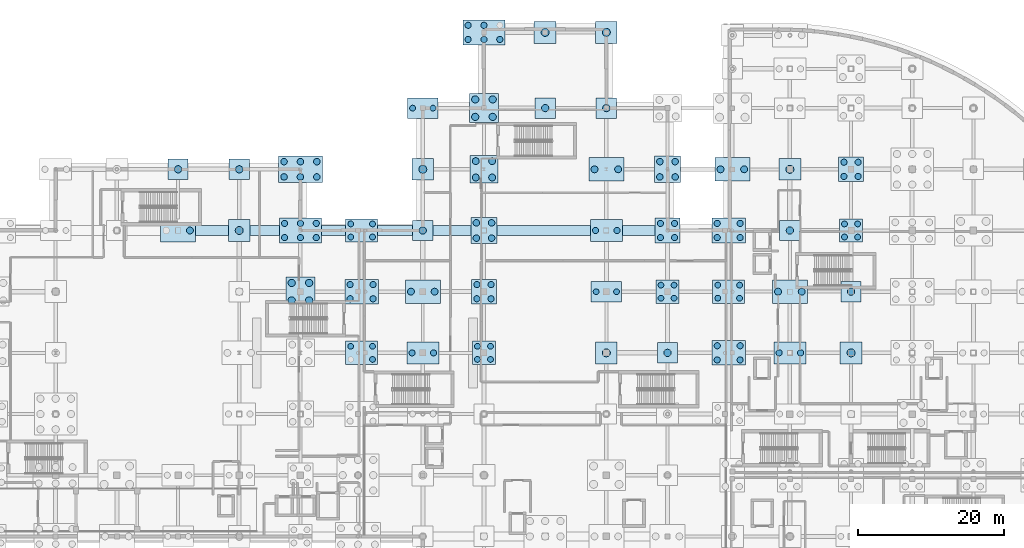
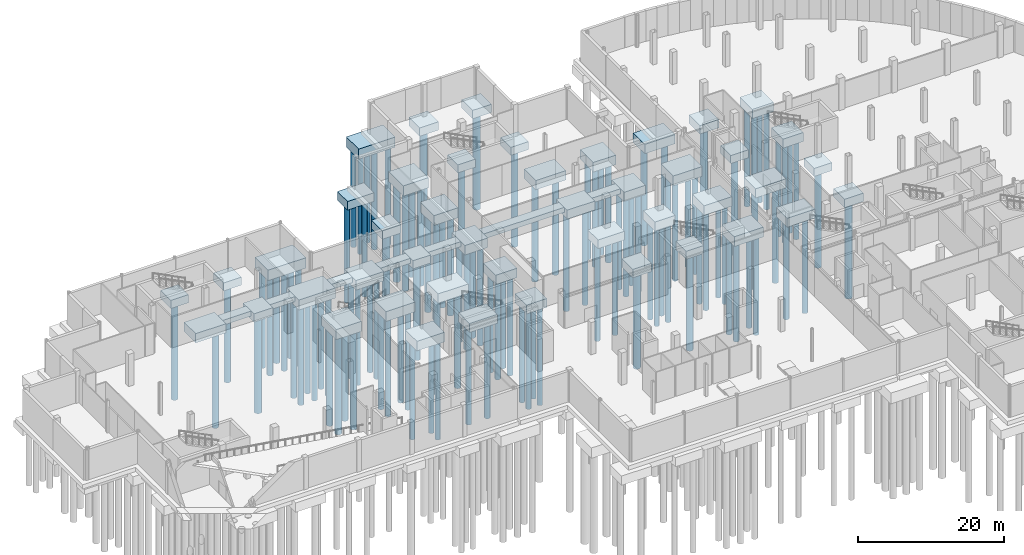
# One storey, part 3 of 49: 118 piles, 52 footings.
"""IFC4 building model written with IfcOpenShell, lengths in metres."""

import ifcopenshell
import ifcopenshell.guid

model = None  # the IFC model being written
_history = None  # IfcOwnerHistory: only IFC2X3 demands one
_inside = {}  # id of a spatial element -> (the spatial element, [elements in it])
_under = {}  # id of a project, library or spatial element -> (it, [spatial elements below it])
_declared = {}  # id of a project -> (the project, [libraries it declares])
_typed = {}  # id of a type object -> (the type object, [elements of that type])
_made_of = {}  # id of a material, layer set ... -> (it, [elements and type objects made of it])


def new_model(schema):
    """Start an empty IFC model of exactly this schema.

    Asked for "IFC4X3", IfcOpenShell would pick the latest addendum, in which some entities
    have other attributes; the version numbers below select the first issue.
    IFC2X3 requires an IfcOwnerHistory on every rooted entity: one is made here for all.
    """
    global model, _history
    if schema == "IFC4X3":
        model = ifcopenshell.file(schema_version=(4, 3, 0, 0))
    else:
        model = ifcopenshell.file(schema=schema)
    _inside.clear()
    _under.clear()
    _declared.clear()
    _typed.clear()
    _made_of.clear()
    _history = None
    if model.schema == "IFC2X3":
        org = make("IfcOrganization", Name="unknown")
        user = make(
            "IfcPersonAndOrganization",
            ThePerson=make("IfcPerson", FamilyName="unknown"),
            TheOrganization=org,
        )
        app = make(
            "IfcApplication",
            ApplicationDeveloper=org,
            Version="unknown",
            ApplicationFullName="unknown",
            ApplicationIdentifier="unknown",
        )
        _history = make(
            "IfcOwnerHistory",
            OwningUser=user,
            OwningApplication=app,
            ChangeAction="ADDED",
            CreationDate=0,
        )
    return model


def make(cls, **values):
    """One entity of the class cls with the attributes given. An attribute that is None is left unset."""
    return model.create_entity(
        cls, **{name: value for name, value in values.items() if value is not None}
    )


def rooted(cls, **values):
    """An entity with a GlobalId (a new one), such as an element, a storey or a relation."""
    return make(cls, GlobalId=ifcopenshell.guid.new(), OwnerHistory=_history, **values)


def si_unit(unit_type, name, prefix=None):
    """IfcSIUnit, for example si_unit("LENGTHUNIT", "METRE", prefix="MILLI")."""
    return make("IfcSIUnit", UnitType=unit_type, Prefix=prefix, Name=name)


def assignment(units):
    """IfcUnitAssignment: the units of a project."""
    return None if units is None else make("IfcUnitAssignment", Units=units)


def point(xyz):
    """IfcCartesianPoint."""
    return None if xyz is None else make("IfcCartesianPoint", Coordinates=xyz)


def direction(xyz):
    """IfcDirection."""
    return None if xyz is None else make("IfcDirection", DirectionRatios=xyz)


def frame(location, z_axis=None, x_axis=None):
    """IfcAxis2Placement3D, a coordinate frame: its origin and axes. An axis left out is left unset."""
    return make(
        "IfcAxis2Placement3D",
        Location=point(location),
        Axis=direction(z_axis),
        RefDirection=direction(x_axis),
    )


def frame_2d(location, x_axis=None):
    """IfcAxis2Placement2D, a coordinate frame in the plane: its origin and x axis."""
    return make(
        "IfcAxis2Placement2D", Location=point(location), RefDirection=direction(x_axis)
    )


def origin():
    """The frame at (0, 0, 0) with its axes left unset."""
    return frame((0.0, 0.0, 0.0))


def origin_2d():
    """The frame at (0, 0) in the plane with its x axis left unset."""
    return frame_2d((0.0, 0.0))


def place(relative_to, where):
    """IfcLocalPlacement: puts the frame where relative to a parent placement (None: the world)."""
    return make(
        "IfcLocalPlacement", PlacementRelTo=relative_to, RelativePlacement=where
    )


def context(
    kind, dimensions, precision=None, world=None, true_north=None, identifier=None
):
    """IfcGeometricRepresentationContext, for example the 3D "Model" context."""
    return make(
        "IfcGeometricRepresentationContext",
        ContextIdentifier=identifier,
        ContextType=kind,
        CoordinateSpaceDimension=dimensions,
        Precision=precision,
        WorldCoordinateSystem=world,
        TrueNorth=true_north,
    )


def subcontext(parent, identifier, kind, view, scale=None):
    """IfcGeometricRepresentationSubContext, for example "Body" below "Model"."""
    return make(
        "IfcGeometricRepresentationSubContext",
        ContextIdentifier=identifier,
        ContextType=kind,
        ParentContext=parent,
        TargetScale=scale,
        TargetView=view,
    )


def project(units=None, contexts=None):
    """IfcProject with its units and contexts."""
    return rooted(
        "IfcProject",
        Name="project",
        RepresentationContexts=contexts,
        UnitsInContext=assignment(units),
    )


def spatial(cls, under=None, at=None, **own):
    """A site, building, storey or space (cls), placed at a placement, below another one or the project."""
    s = rooted(cls, ObjectPlacement=at, **own)
    if under is not None:
        _under.setdefault(under.id(), (under, []))[1].append(s)
    return s


def profile(cls, at=None, kind="AREA", **sizes):
    """A parametric profile (cls). Its sizes go by their IFC names, for example OverallWidth=200.0."""
    return make(cls, ProfileType=kind, Position=at, **sizes)


def rectangle(**sizes):
    """IfcRectangleProfileDef."""
    return profile("IfcRectangleProfileDef", **sizes)


def circle(**sizes):
    """IfcCircleProfileDef."""
    return profile("IfcCircleProfileDef", **sizes)


def extrude(swept, where, along, depth):
    """IfcExtrudedAreaSolid: the profile swept, set in the frame where, extruded along a direction by depth."""
    return make(
        "IfcExtrudedAreaSolid",
        SweptArea=swept,
        Position=where,
        ExtrudedDirection=direction(along),
        Depth=depth,
    )


def shape(context_of_items, identifier, shape_type, items):
    """IfcShapeRepresentation: the items that make up one representation, for example the "Body"."""
    return make(
        "IfcShapeRepresentation",
        ContextOfItems=context_of_items,
        RepresentationIdentifier=identifier,
        RepresentationType=shape_type,
        Items=items,
    )


def material(Name=None, Category=None):
    """IfcMaterial."""
    return make("IfcMaterial", Name=Name, Category=Category)


def material_profile(
    of_material, cross_section, Name=None, Category=None, Priority=None
):
    """IfcMaterialProfile: a cross section and its material."""
    return make(
        "IfcMaterialProfile",
        Name=Name,
        Material=of_material,
        Profile=cross_section,
        Priority=Priority,
        Category=Category,
    )


def profile_set(profiles, Name=None, composite=None):
    """IfcMaterialProfileSet."""
    return make(
        "IfcMaterialProfileSet",
        Name=Name,
        MaterialProfiles=profiles,
        CompositeProfile=composite,
    )


def made_of(thing, what):
    """Note that an element or type object is made of a material, layer set ...; save() writes the relation."""
    if what is not None:
        _made_of.setdefault(what.id(), (what, []))[1].append(thing)
    return thing


def type_object(cls, material=None, **own):
    """A type object (cls), such as IfcWallType, which elements share."""
    return made_of(rooted(cls, **own), material)


def element(
    cls,
    number,
    at=None,
    inside=None,
    cuts=None,
    type_object=None,
    material=None,
    context=None,
    identifier="Body",
    shape_type=None,
    held_by="IfcProductDefinitionShape",
    body=None,
    shapes=None,
    **own,
):
    """One element of the class cls, such as IfcWall. Its Tag is "e" and its number.

    at: its placement. inside: the storey or other place that contains it. cuts: it is an
    opening in that element (IfcRelVoidsElement). A single representation is given by context,
    identifier, shape_type and body (its items); several are given by shapes. held_by: the class
    of the entity that holds the representations. save() writes the other relations.
    """
    e = rooted(cls, Tag="e%d" % number, ObjectPlacement=at, **own)
    if body is not None:
        shapes = [shape(context, identifier, shape_type, body)]
    if shapes is not None:
        e.Representation = make(held_by, Representations=shapes)
    if inside is not None:
        _inside.setdefault(inside.id(), (inside, []))[1].append(e)
    if cuts is not None:
        rooted(
            "IfcRelVoidsElement", RelatingBuildingElement=cuts, RelatedOpeningElement=e
        )
    if type_object is not None:
        _typed.setdefault(type_object.id(), (type_object, []))[1].append(e)
    return made_of(e, material)


def aggregate(whole, parts):
    """IfcRelAggregates: a whole, such as a stair, and the parts it consists of."""
    return rooted("IfcRelAggregates", RelatingObject=whole, RelatedObjects=parts)


def save(model, path):
    """Write the relations noted so far, then the file.

    IfcRelAggregates (storeys below a building ...), IfcRelContainedInSpatialStructure (elements
    in a storey), IfcRelDefinesByType, IfcRelAssociatesMaterial and IfcRelDeclares: one each for
    every whole, place, type object, material and project.
    """
    for whole, parts in _under.values():
        aggregate(whole, parts)
    for where, things in _inside.values():
        rooted(
            "IfcRelContainedInSpatialStructure",
            RelatedElements=things,
            RelatingStructure=where,
        )
    for kind, things in _typed.values():
        rooted("IfcRelDefinesByType", RelatedObjects=things, RelatingType=kind)
    for what, things in _made_of.values():
        rooted("IfcRelAssociatesMaterial", RelatedObjects=things, RelatingMaterial=what)
    for by, libraries in _declared.values():
        rooted("IfcRelDeclares", RelatingContext=by, RelatedDefinitions=libraries)
    model.write(path)


model = new_model("IFC4")

# Units and contexts
model_context = context("Model", 3, precision=1e-05, world=origin(), true_north=direction((0.0, 1.0)))
body_context = subcontext(model_context, "Body", "Model", "MODEL_VIEW")
ifc_project = project(units=[si_unit("LENGTHUNIT", "METRE"), si_unit("AREAUNIT", "SQUARE_METRE"), si_unit("VOLUMEUNIT", "CUBIC_METRE"), si_unit("PLANEANGLEUNIT", "RADIAN"), si_unit("MASSUNIT", "GRAM", prefix="KILO"), si_unit("THERMODYNAMICTEMPERATUREUNIT", "KELVIN")], contexts=[model_context])

# Site, building, storey
site_placement = place(None, origin())
site = spatial("IfcSite", under=ifc_project, at=site_placement, CompositionType="ELEMENT")
building_placement = place(site_placement, origin())
building = spatial("IfcBuilding", under=site, at=building_placement, Name="Lustrewick Department Store", CompositionType="ELEMENT")
storey_placement = place(building_placement, frame((0.0, 0.0, -5.39990234375)))
storey = spatial("IfcBuildingStorey", under=building, at=storey_placement, Name="B1", CompositionType="ELEMENT", Elevation=-5.39990234375)

# Piles
ifc_material = material(Name="Concrete C40", Category="concrete")
ifc_material_profile_1 = material_profile(ifc_material, circle(Radius=0.39990234375, at=origin_2d()), Name="PILE D800")
ifc_profile_set_1 = profile_set([ifc_material_profile_1], Name="Concrete C40")
pile_type_1 = type_object("IfcPileType", Name="P01", PredefinedType="BORED", material=ifc_profile_set_1)
for number, where, z_axis, x_axis, name in (
    (1, (57.300048828125, 68.10009765625, -2.2001953125), (0.0, 0.0, -1.0), (1.0, 0.0, 0.0), "Bored Pile P01 0131"),
    (2, (60.300048828125, 66.300048828125, -2.2001953125), (0.0, 0.0, -1.0), (1.0, 0.0, 0.0), "Bored Pile P01 0132"),
    (3, (60.300048828125, 68.10009765625, -2.2001953125), (0.0, 0.0, -1.0), (1.0, 0.0, 0.0), "Bored Pile P01 0133"),
    (4, (57.300048828125, 83.10009765625, -2.2001953125), (0.0, 0.0, -1.0), (1.0, 0.0, 0.0), "Bored Pile P01 0138"),
    (5, (57.300048828125, 84.89990234375, -2.2001953125), (0.0, 0.0, -1.0), (1.0, 0.0, 0.0), "Bored Pile P01 0139"),
    (6, (60.300048828125, 83.10009765625, -2.2001953125), (0.0, 0.0, -1.0), (1.0, 0.0, 0.0), "Bored Pile P01 0140"),
    (7, (60.300048828125, 84.89990234375, -2.2001953125), (0.0, 0.0, -1.0), (1.0, 0.0, 0.0), "Bored Pile P01 0141"),
    (8, (65.800048828125, 100.800048828125, -2.050048828125), (0.0, 0.0, -1.0), (1.0, 0.0, 0.0), "Bored Pile P01 0158"),
    (9, (68.60009765625, 100.800048828125, -2.050048828125), (0.0, 0.0, -1.0), (1.0, 0.0, 0.0), "Bored Pile P01 0159"),
    (10, (74.699951171875, 66.300048828125, -2.10009765625), (0.0, 0.0, -1.0), (1.0, 0.0, 0.0), "Bored Pile P01 0167"),
    (11, (74.699951171875, 68.10009765625, -2.10009765625), (0.0, 0.0, -1.0), (1.0, 0.0, 0.0), "Bored Pile P01 0168"),
    (12, (76.5, 66.300048828125, -2.10009765625), (0.0, 0.0, -1.0), (1.0, 0.0, 0.0), "Bored Pile P01 0169"),
    (13, (76.5, 68.10009765625, -2.10009765625), (0.0, 0.0, -1.0), (1.0, 0.0, 0.0), "Bored Pile P01 0170"),
    (14, (91.0, 75.60009765625, -2.050048828125), (0.0, 0.0, -1.0), (1.0, 0.0, 0.0), "Bored Pile P01 0228"),
    (15, (93.800048828125, 75.60009765625, -2.050048828125), (0.0, 0.0, -1.0), (1.0, 0.0, 0.0), "Bored Pile P01 0229"),
    (16, (99.89990234375, 74.699951171875, -2.10009765625), (0.0, 0.0, -1.0), (1.0, 0.0, 0.0), "Bored Pile P01 0245"),
    (17, (99.89990234375, 76.5, -2.10009765625), (0.0, 0.0, -1.0), (1.0, 0.0, 0.0), "Bored Pile P01 0246"),
    (18, (101.699951171875, 74.699951171875, -2.10009765625), (0.0, 0.0, -1.0), (1.0, 0.0, 0.0), "Bored Pile P01 0247"),
    (19, (101.699951171875, 76.5, -2.10009765625), (0.0, 0.0, -1.0), (1.0, 0.0, 0.0), "Bored Pile P01 0248"),
    (20, (107.699951171875, 74.699951171875, -2.2001953125), (0.0, 0.0, -1.0), (1.0, 0.0, 0.0), "Bored Pile P01 0269"),
    (21, (107.699951171875, 76.5, -2.2001953125), (0.0, 0.0, -1.0), (1.0, 0.0, 0.0), "Bored Pile P01 0270"),
    (22, (110.699951171875, 74.699951171875, -2.2001953125), (0.0, 0.0, -1.0), (1.0, 0.0, 0.0), "Bored Pile P01 0271"),
    (23, (110.699951171875, 76.5, -2.2001953125), (0.0, 0.0, -1.0), (1.0, 0.0, 0.0), "Bored Pile P01 0272"),
    (24, (125.10009765625, 83.10009765625, -2.10009765625), (0.0, 0.0, -1.0), (1.0, 0.0, 0.0), "Bored Pile P01 0401"),
    (25, (125.10009765625, 84.89990234375, -2.10009765625), (0.0, 0.0, -1.0), (1.0, 0.0, 0.0), "Bored Pile P01 0402"),
    (26, (126.89990234375, 83.10009765625, -2.10009765625), (0.0, 0.0, -1.0), (1.0, 0.0, 0.0), "Bored Pile P01 0403"),
    (27, (126.89990234375, 84.89990234375, -2.10009765625), (0.0, 0.0, -1.0), (1.0, 0.0, 0.0), "Bored Pile P01 0404"),
):
    element("IfcPile", number, at=place(storey_placement, frame(where, z_axis=z_axis, x_axis=x_axis)), inside=storey, type_object=pile_type_1, Name=name, PredefinedType="BORED", context=body_context, shape_type="SweptSolid", body=[
        extrude(circle(Radius=0.39990234375, at=origin_2d()), origin(), (0.0, 0.0, 1.0), 16.5),
    ])
ifc_material_profile_2 = material_profile(ifc_material, circle(Radius=0.425048828125, at=origin_2d()), Name="PILE D850")
ifc_profile_set_2 = profile_set([ifc_material_profile_2], Name="Concrete C40")
pile_type_2 = type_object("IfcPileType", Name="P02", PredefinedType="BORED", material=ifc_profile_set_2)
for number, where, z_axis, x_axis, name in (
    (28, (48.22509765625, 83.02490234375, -2.300048828125), (0.0, 0.0, -1.0), (1.0, 0.0, 0.0), "Bored Pile P02 0099"),
    (29, (48.22509765625, 84.97509765625, -2.300048828125), (0.0, 0.0, -1.0), (1.0, 0.0, 0.0), "Bored Pile P02 0100"),
    (30, (50.39990234375, 83.02490234375, -2.300048828125), (0.0, 0.0, -1.0), (1.0, 0.0, 0.0), "Bored Pile P02 0101"),
    (31, (50.39990234375, 84.97509765625, -2.300048828125), (0.0, 0.0, -1.0), (1.0, 0.0, 0.0), "Bored Pile P02 0102"),
    (32, (52.574951171875, 83.02490234375, -2.300048828125), (0.0, 0.0, -1.0), (1.0, 0.0, 0.0), "Bored Pile P02 0103"),
    (33, (52.574951171875, 84.97509765625, -2.300048828125), (0.0, 0.0, -1.0), (1.0, 0.0, 0.0), "Bored Pile P02 0104"),
    (34, (57.22509765625, 74.625, -2.25), (0.0, 0.0, -1.0), (1.0, 0.0, 0.0), "Bored Pile P02 0134"),
    (35, (57.22509765625, 76.574951171875, -2.25), (0.0, 0.0, -1.0), (1.0, 0.0, 0.0), "Bored Pile P02 0135"),
    (36, (60.375, 74.625, -2.25), (0.0, 0.0, -1.0), (1.0, 0.0, 0.0), "Bored Pile P02 0136"),
    (37, (60.375, 76.574951171875, -2.25), (0.0, 0.0, -1.0), (1.0, 0.0, 0.0), "Bored Pile P02 0137"),
    (38, (65.72509765625, 67.199951171875, -2.10009765625), (0.0, 0.0, -1.0), (1.0, 0.0, 0.0), "Bored Pile P02 0152"),
    (39, (68.675048828125, 67.199951171875, -2.10009765625), (0.0, 0.0, -1.0), (1.0, 0.0, 0.0), "Bored Pile P02 0153"),
    (40, (74.625, 74.625, -2.150146484375), (0.0, 0.0, -1.0), (1.0, 0.0, 0.0), "Bored Pile P02 0171"),
    (41, (74.625, 76.574951171875, -2.150146484375), (0.0, 0.0, -1.0), (1.0, 0.0, 0.0), "Bored Pile P02 0172"),
    (42, (76.574951171875, 74.625, -2.150146484375), (0.0, 0.0, -1.0), (1.0, 0.0, 0.0), "Bored Pile P02 0173"),
    (43, (76.574951171875, 76.574951171875, -2.150146484375), (0.0, 0.0, -1.0), (1.0, 0.0, 0.0), "Bored Pile P02 0174"),
    (44, (73.425048828125, 110.22509765625, -2.300048828125), (0.0, 0.0, -1.0), (1.0, 0.0, 0.0), "Bored Pile P02 0187"),
    (45, (73.425048828125, 112.175048828125, -2.300048828125), (0.0, 0.0, -1.0), (1.0, 0.0, 0.0), "Bored Pile P02 0188"),
    (46, (75.60009765625, 110.22509765625, -2.300048828125), (0.0, 0.0, -1.0), (1.0, 0.0, 0.0), "Bored Pile P02 0189"),
    (47, (75.60009765625, 112.175048828125, -2.300048828125), (0.0, 0.0, -1.0), (1.0, 0.0, 0.0), "Bored Pile P02 0190"),
    (48, (77.77490234375, 110.22509765625, -2.300048828125), (0.0, 0.0, -1.0), (1.0, 0.0, 0.0), "Bored Pile P02 0191"),
    (49, (90.925048828125, 84.0, -2.10009765625), (0.0, 0.0, -1.0), (1.0, 0.0, 0.0), "Bored Pile P02 0230"),
    (50, (93.875, 84.0, -2.10009765625), (0.0, 0.0, -1.0), (1.0, 0.0, 0.0), "Bored Pile P02 0231"),
    (51, (99.824951171875, 83.02490234375, -2.150146484375), (0.0, 0.0, -1.0), (1.0, 0.0, 0.0), "Bored Pile P02 0249"),
    (52, (99.824951171875, 84.97509765625, -2.150146484375), (0.0, 0.0, -1.0), (1.0, 0.0, 0.0), "Bored Pile P02 0250"),
    (53, (101.77490234375, 83.02490234375, -2.150146484375), (0.0, 0.0, -1.0), (1.0, 0.0, 0.0), "Bored Pile P02 0251"),
    (54, (101.77490234375, 84.97509765625, -2.150146484375), (0.0, 0.0, -1.0), (1.0, 0.0, 0.0), "Bored Pile P02 0252"),
    (55, (107.625, 66.22509765625, -2.25), (0.0, 0.0, -1.0), (1.0, 0.0, 0.0), "Bored Pile P02 0265"),
    (56, (107.625, 68.175048828125, -2.25), (0.0, 0.0, -1.0), (1.0, 0.0, 0.0), "Bored Pile P02 0266"),
    (57, (110.77490234375, 66.22509765625, -2.25), (0.0, 0.0, -1.0), (1.0, 0.0, 0.0), "Bored Pile P02 0267"),
    (58, (110.77490234375, 68.175048828125, -2.25), (0.0, 0.0, -1.0), (1.0, 0.0, 0.0), "Bored Pile P02 0268"),
    (59, (107.625, 83.02490234375, -2.25), (0.0, 0.0, -1.0), (1.0, 0.0, 0.0), "Bored Pile P02 0273"),
    (60, (107.625, 84.97509765625, -2.25), (0.0, 0.0, -1.0), (1.0, 0.0, 0.0), "Bored Pile P02 0274"),
    (61, (110.77490234375, 83.02490234375, -2.25), (0.0, 0.0, -1.0), (1.0, 0.0, 0.0), "Bored Pile P02 0275"),
    (62, (110.77490234375, 84.97509765625, -2.25), (0.0, 0.0, -1.0), (1.0, 0.0, 0.0), "Bored Pile P02 0276"),
    (63, (116.125, 67.199951171875, -2.10009765625), (0.0, 0.0, -1.0), (1.0, 0.0, 0.0), "Bored Pile P02 0386"),
    (64, (119.074951171875, 67.199951171875, -2.10009765625), (0.0, 0.0, -1.0), (1.0, 0.0, 0.0), "Bored Pile P02 0387"),
    (65, (125.02490234375, 91.425048828125, -2.150146484375), (0.0, 0.0, -1.0), (1.0, 0.0, 0.0), "Bored Pile P02 0405"),
    (66, (125.02490234375, 93.375, -2.150146484375), (0.0, 0.0, -1.0), (1.0, 0.0, 0.0), "Bored Pile P02 0406"),
    (67, (126.97509765625, 91.425048828125, -2.150146484375), (0.0, 0.0, -1.0), (1.0, 0.0, 0.0), "Bored Pile P02 0407"),
    (68, (126.97509765625, 93.375, -2.150146484375), (0.0, 0.0, -1.0), (1.0, 0.0, 0.0), "Bored Pile P02 0408"),
):
    element("IfcPile", number, at=place(storey_placement, frame(where, z_axis=z_axis, x_axis=x_axis)), inside=storey, type_object=pile_type_2, Name=name, PredefinedType="BORED", context=body_context, shape_type="SweptSolid", body=[
        extrude(circle(Radius=0.425048828125, at=origin_2d()), origin(), (0.0, 0.0, 1.0), 16.5),
    ])
ifc_material_profile_3 = material_profile(ifc_material, circle(Radius=0.449951171875, at=origin_2d()), Name="PILE D900")
ifc_profile_set_3 = profile_set([ifc_material_profile_3], Name="Concrete C40")
pile_type_3 = type_object("IfcPileType", Name="P03", PredefinedType="BORED", material=ifc_profile_set_3)
for number, where, z_axis, x_axis, name in (
    (69, (48.14990234375, 91.35009765625, -2.35009765625), (0.0, 0.0, -1.0), (1.0, 0.0, 0.0), "Bored Pile P03 0105"),
    (70, (48.14990234375, 93.449951171875, -2.35009765625), (0.0, 0.0, -1.0), (1.0, 0.0, 0.0), "Bored Pile P03 0106"),
    (71, (50.39990234375, 91.35009765625, -2.35009765625), (0.0, 0.0, -1.0), (1.0, 0.0, 0.0), "Bored Pile P03 0107"),
    (72, (50.39990234375, 93.449951171875, -2.35009765625), (0.0, 0.0, -1.0), (1.0, 0.0, 0.0), "Bored Pile P03 0108"),
    (73, (52.64990234375, 91.35009765625, -2.35009765625), (0.0, 0.0, -1.0), (1.0, 0.0, 0.0), "Bored Pile P03 0109"),
    (74, (52.64990234375, 93.449951171875, -2.35009765625), (0.0, 0.0, -1.0), (1.0, 0.0, 0.0), "Bored Pile P03 0110"),
    (75, (74.550048828125, 82.949951171875, -2.2001953125), (0.0, 0.0, -1.0), (1.0, 0.0, 0.0), "Bored Pile P03 0175"),
    (76, (74.550048828125, 85.050048828125, -2.2001953125), (0.0, 0.0, -1.0), (1.0, 0.0, 0.0), "Bored Pile P03 0176"),
    (77, (76.64990234375, 82.949951171875, -2.2001953125), (0.0, 0.0, -1.0), (1.0, 0.0, 0.0), "Bored Pile P03 0177"),
    (78, (76.64990234375, 85.050048828125, -2.2001953125), (0.0, 0.0, -1.0), (1.0, 0.0, 0.0), "Bored Pile P03 0178"),
    (79, (99.75, 91.35009765625, -2.2001953125), (0.0, 0.0, -1.0), (1.0, 0.0, 0.0), "Bored Pile P03 0253"),
    (80, (99.75, 93.449951171875, -2.2001953125), (0.0, 0.0, -1.0), (1.0, 0.0, 0.0), "Bored Pile P03 0254"),
    (81, (101.85009765625, 91.35009765625, -2.2001953125), (0.0, 0.0, -1.0), (1.0, 0.0, 0.0), "Bored Pile P03 0255"),
    (82, (101.85009765625, 93.449951171875, -2.2001953125), (0.0, 0.0, -1.0), (1.0, 0.0, 0.0), "Bored Pile P03 0256"),
):
    element("IfcPile", number, at=place(storey_placement, frame(where, z_axis=z_axis, x_axis=x_axis)), inside=storey, type_object=pile_type_3, Name=name, PredefinedType="BORED", context=body_context, shape_type="SweptSolid", body=[
        extrude(circle(Radius=0.449951171875, at=origin_2d()), origin(), (0.0, 0.0, 1.0), 16.5),
    ])
ifc_material_profile_4 = material_profile(ifc_material, circle(Radius=0.47509765625, at=origin_2d()), Name="PILE D950")
ifc_profile_set_4 = profile_set([ifc_material_profile_4], Name="Concrete C40")
pile_type_4 = type_object("IfcPileType", Name="P04", PredefinedType="BORED", material=ifc_profile_set_4)
for number, where, z_axis, x_axis, name in (
    (83, (35.22509765625, 84.0, -2.150146484375), (0.0, 0.0, -1.0), (1.0, 0.0, 0.0), "Bored Pile P04 0067"),
    (84, (65.574951171875, 75.60009765625, -2.150146484375), (0.0, 0.0, -1.0), (1.0, 0.0, 0.0), "Bored Pile P04 0154"),
    (85, (68.824951171875, 75.60009765625, -2.150146484375), (0.0, 0.0, -1.0), (1.0, 0.0, 0.0), "Bored Pile P04 0155"),
    (86, (74.47509765625, 91.27490234375, -2.25), (0.0, 0.0, -1.0), (1.0, 0.0, 0.0), "Bored Pile P04 0179"),
    (87, (74.47509765625, 93.52490234375, -2.25), (0.0, 0.0, -1.0), (1.0, 0.0, 0.0), "Bored Pile P04 0180"),
    (88, (76.72509765625, 91.27490234375, -2.25), (0.0, 0.0, -1.0), (1.0, 0.0, 0.0), "Bored Pile P04 0181"),
    (89, (76.72509765625, 93.52490234375, -2.25), (0.0, 0.0, -1.0), (1.0, 0.0, 0.0), "Bored Pile P04 0182"),
    (90, (90.77490234375, 92.39990234375, -2.150146484375), (0.0, 0.0, -1.0), (1.0, 0.0, 0.0), "Bored Pile P04 0232"),
    (91, (94.02490234375, 92.39990234375, -2.150146484375), (0.0, 0.0, -1.0), (1.0, 0.0, 0.0), "Bored Pile P04 0233"),
    (92, (108.074951171875, 92.39990234375, -2.150146484375), (0.0, 0.0, -1.0), (1.0, 0.0, 0.0), "Bored Pile P04 0376"),
    (93, (111.324951171875, 92.39990234375, -2.150146484375), (0.0, 0.0, -1.0), (1.0, 0.0, 0.0), "Bored Pile P04 0377"),
    (94, (115.97509765625, 75.60009765625, -2.150146484375), (0.0, 0.0, -1.0), (1.0, 0.0, 0.0), "Bored Pile P04 0388"),
    (95, (119.22509765625, 75.60009765625, -2.150146484375), (0.0, 0.0, -1.0), (1.0, 0.0, 0.0), "Bored Pile P04 0389"),
):
    element("IfcPile", number, at=place(storey_placement, frame(where, z_axis=z_axis, x_axis=x_axis)), inside=storey, type_object=pile_type_4, Name=name, PredefinedType="BORED", context=body_context, shape_type="SweptSolid", body=[
        extrude(circle(Radius=0.47509765625, at=origin_2d()), origin(), (0.0, 0.0, 1.0), 16.5),
    ])
ifc_material_profile_5 = material_profile(ifc_material, circle(Radius=0.5, at=origin_2d()), Name="PILE D1000")
ifc_profile_set_5 = profile_set([ifc_material_profile_5], Name="Concrete C40")
pile_type_5 = type_object("IfcPileType", Name="P05", PredefinedType="BORED", material=ifc_profile_set_5)
for number, where, z_axis, x_axis, name in (
    (96, (33.60009765625, 92.39990234375, -1.9501953125), (0.0, 0.0, -1.0), (1.0, 0.0, 0.0), "Bored Pile P05 0068"),
    (97, (42.0, 92.39990234375, -1.9501953125), (0.0, 0.0, -1.0), (1.0, 0.0, 0.0), "Bored Pile P05 0078"),
    (98, (49.199951171875, 74.39990234375, -2.300048828125), (0.0, 0.0, -1.0), (1.0, 0.0, 0.0), "Bored Pile P05 0095"),
    (99, (49.199951171875, 76.800048828125, -2.300048828125), (0.0, 0.0, -1.0), (1.0, 0.0, 0.0), "Bored Pile P05 0096"),
    (100, (51.60009765625, 74.39990234375, -2.300048828125), (0.0, 0.0, -1.0), (1.0, 0.0, 0.0), "Bored Pile P05 0097"),
    (101, (51.60009765625, 76.800048828125, -2.300048828125), (0.0, 0.0, -1.0), (1.0, 0.0, 0.0), "Bored Pile P05 0098"),
    (102, (67.199951171875, 84.0, -1.9501953125), (0.0, 0.0, -1.0), (1.0, 0.0, 0.0), "Bored Pile P05 0156"),
    (103, (74.39990234375, 99.60009765625, -2.300048828125), (0.0, 0.0, -1.0), (1.0, 0.0, 0.0), "Bored Pile P05 0183"),
    (104, (74.39990234375, 102.0, -2.300048828125), (0.0, 0.0, -1.0), (1.0, 0.0, 0.0), "Bored Pile P05 0184"),
    (105, (76.800048828125, 99.60009765625, -2.300048828125), (0.0, 0.0, -1.0), (1.0, 0.0, 0.0), "Bored Pile P05 0185"),
    (106, (76.800048828125, 102.0, -2.300048828125), (0.0, 0.0, -1.0), (1.0, 0.0, 0.0), "Bored Pile P05 0186"),
    (107, (84.0, 100.800048828125, -1.9501953125), (0.0, 0.0, -1.0), (1.0, 0.0, 0.0), "Bored Pile P05 0214"),
    (108, (92.39990234375, 100.800048828125, -1.9501953125), (0.0, 0.0, -1.0), (1.0, 0.0, 0.0), "Bored Pile P05 0234"),
    (109, (100.800048828125, 67.199951171875, -1.9501953125), (0.0, 0.0, -1.0), (1.0, 0.0, 0.0), "Bored Pile P05 0244"),
    (110, (117.60009765625, 84.0, -1.9501953125), (0.0, 0.0, -1.0), (1.0, 0.0, 0.0), "Bored Pile P05 0390"),
    (111, (126.0, 75.60009765625, -1.9501953125), (0.0, 0.0, -1.0), (1.0, 0.0, 0.0), "Bored Pile P05 0400"),
):
    element("IfcPile", number, at=place(storey_placement, frame(where, z_axis=z_axis, x_axis=x_axis)), inside=storey, type_object=pile_type_5, Name=name, PredefinedType="BORED", context=body_context, shape_type="SweptSolid", body=[
        extrude(circle(Radius=0.5, at=origin_2d()), origin(), (0.0, 0.0, 1.0), 16.5),
    ])
ifc_material_profile_6 = material_profile(ifc_material, circle(Radius=0.550048828125, at=origin_2d()), Name="PILE D1100")
ifc_profile_set_6 = profile_set([ifc_material_profile_6], Name="Concrete C40")
pile_type_6 = type_object("IfcPileType", Name="P06", PredefinedType="BORED", material=ifc_profile_set_6)
for number, where, z_axis, x_axis, name in (
    (112, (42.0, 84.0, -2.0), (0.0, 0.0, -1.0), (1.0, 0.0, 0.0), "Bored Pile P06 0077"),
    (113, (67.199951171875, 92.39990234375, -2.0), (0.0, 0.0, -1.0), (1.0, 0.0, 0.0), "Bored Pile P06 0157"),
    (114, (84.0, 111.199951171875, -2.0), (0.0, 0.0, -1.0), (1.0, 0.0, 0.0), "Bored Pile P06 0215"),
    (115, (92.39990234375, 67.199951171875, -2.0), (0.0, 0.0, -1.0), (1.0, 0.0, 0.0), "Bored Pile P06 0227"),
    (116, (92.39990234375, 111.199951171875, -2.0), (0.0, 0.0, -1.0), (1.0, 0.0, 0.0), "Bored Pile P06 0235"),
    (117, (117.60009765625, 92.39990234375, -2.0), (0.0, 0.0, -1.0), (1.0, 0.0, 0.0), "Bored Pile P06 0391"),
    (118, (126.0, 67.199951171875, -2.0), (0.0, 0.0, -1.0), (1.0, 0.0, 0.0), "Bored Pile P06 0399"),
):
    element("IfcPile", number, at=place(storey_placement, frame(where, z_axis=z_axis, x_axis=x_axis)), inside=storey, type_object=pile_type_6, Name=name, PredefinedType="BORED", context=body_context, shape_type="SweptSolid", body=[
        extrude(circle(Radius=0.550048828125, at=origin_2d()), origin(), (0.0, 0.0, 1.0), 16.5),
    ])

# Footings
footing_type_1 = type_object("IfcFootingType", Name="PC01", PredefinedType="PILE_CAP", material=ifc_material)
for number, where, z_axis, x_axis, name in (
    (119, (75.60009765625, 67.199951171875, -2.2001953125), (0.0, 0.0, 1.0), (1.0, 0.0, 0.0), "Pile Cap PC01 057"),
    (120, (100.800048828125, 75.60009765625, -2.2001953125), (0.0, 0.0, 1.0), (1.0, 0.0, 0.0), "Pile Cap PC01 085"),
    (121, (126.0, 84.0, -2.2001953125), (0.0, 0.0, 1.0), (1.0, 0.0, 0.0), "Pile Cap PC01 141"),
):
    element("IfcFooting", number, at=place(storey_placement, frame(where, z_axis=z_axis, x_axis=x_axis)), inside=storey, type_object=footing_type_1, Name=name, PredefinedType="PILE_CAP", context=body_context, shape_type="SweptSolid", body=[
        extrude(rectangle(XDim=3.199951171875, YDim=3.199951171875, at=origin_2d()), origin(), (0.0, 0.0, 1.0), 1.5),
    ])
footing_type_2 = type_object("IfcFootingType", Name="PC02", PredefinedType="PILE_CAP", material=ifc_material)
for number, where, z_axis, x_axis, name in (
    (122, (75.60009765625, 75.60009765625, -2.25), (0.0, 0.0, 1.0), (1.0, 0.0, 0.0), "Pile Cap PC02 058"),
    (123, (100.800048828125, 84.0, -2.25), (0.0, 0.0, 1.0), (1.0, 0.0, 0.0), "Pile Cap PC02 086"),
    (124, (126.0, 92.39990234375, -2.25), (0.0, 0.0, 1.0), (1.0, 0.0, 0.0), "Pile Cap PC02 142"),
):
    element("IfcFooting", number, at=place(storey_placement, frame(where, z_axis=z_axis, x_axis=x_axis)), inside=storey, type_object=footing_type_2, Name=name, PredefinedType="PILE_CAP", context=body_context, shape_type="SweptSolid", body=[
        extrude(rectangle(XDim=3.39990234375, YDim=3.39990234375, at=origin_2d()), origin(), (0.0, 0.0, 1.0), 1.550048828125),
    ])
footing_type_3 = type_object("IfcFootingType", Name="PC03", PredefinedType="PILE_CAP", material=ifc_material)
for number, where, z_axis, x_axis, name in (
    (125, (75.60009765625, 84.0, -2.300048828125), (0.0, 0.0, 1.0), (1.0, 0.0, 0.0), "Pile Cap PC03 059"),
    (126, (100.800048828125, 92.39990234375, -2.300048828125), (0.0, 0.0, 1.0), (1.0, 0.0, 0.0), "Pile Cap PC03 087"),
):
    element("IfcFooting", number, at=place(storey_placement, frame(where, z_axis=z_axis, x_axis=x_axis)), inside=storey, type_object=footing_type_3, Name=name, PredefinedType="PILE_CAP", context=body_context, shape_type="SweptSolid", body=[
        extrude(rectangle(XDim=3.60009765625, YDim=3.60009765625, at=origin_2d()), origin(), (0.0, 0.0, 1.0), 1.60009765625),
    ])
footing_type_4 = type_object("IfcFootingType", Name="PC04", PredefinedType="PILE_CAP", material=ifc_material)
footing_1_placement = place(storey_placement, frame((75.60009765625, 92.39990234375, -2.35009765625), z_axis=(0.0, 0.0, 1.0), x_axis=(1.0, 0.0, 0.0)))
element("IfcFooting", 127, at=footing_1_placement, inside=storey, type_object=footing_type_4, Name="Pile Cap PC04 060", PredefinedType="PILE_CAP", context=body_context, shape_type="SweptSolid", body=[
    extrude(rectangle(XDim=3.800048828125, YDim=3.800048828125, at=origin_2d()), origin(), (0.0, 0.0, 1.0), 1.64990234375),
])
footing_type_5 = type_object("IfcFootingType", Name="PC05", PredefinedType="PILE_CAP", material=ifc_material)
for number, where, z_axis, x_axis, name in (
    (128, (50.39990234375, 75.60009765625, -2.39990234375), (0.0, 0.0, 1.0), (1.0, 0.0, 0.0), "Pile Cap PC05 033"),
    (129, (75.60009765625, 100.800048828125, -2.39990234375), (0.0, 0.0, 1.0), (1.0, 0.0, 0.0), "Pile Cap PC05 061"),
):
    element("IfcFooting", number, at=place(storey_placement, frame(where, z_axis=z_axis, x_axis=x_axis)), inside=storey, type_object=footing_type_5, Name=name, PredefinedType="PILE_CAP", context=body_context, shape_type="SweptSolid", body=[
        extrude(rectangle(XDim=4.0, YDim=4.0, at=origin_2d()), origin(), (0.0, 0.0, 1.0), 1.699951171875),
    ])
footing_type_6 = type_object("IfcFootingType", Name="PC06", PredefinedType="PILE_CAP", material=ifc_material)
for number, where, z_axis, x_axis, name in (
    (130, (58.800048828125, 67.199951171875, -2.300048828125), (0.0, 0.0, 1.0), (1.0, 0.0, 0.0), "Pile Cap PC06 039"),
    (131, (58.800048828125, 84.0, -2.300048828125), (0.0, 0.0, 1.0), (1.0, 0.0, 0.0), "Pile Cap PC06 041"),
    (132, (109.199951171875, 75.60009765625, -2.300048828125), (0.0, 0.0, 1.0), (1.0, 0.0, 0.0), "Pile Cap PC06 091"),
):
    element("IfcFooting", number, at=place(storey_placement, frame(where, z_axis=z_axis, x_axis=x_axis)), inside=storey, type_object=footing_type_6, Name=name, PredefinedType="PILE_CAP", context=body_context, shape_type="SweptSolid", body=[
        extrude(rectangle(XDim=4.39990234375, YDim=3.199951171875, at=origin_2d()), origin(), (0.0, 0.0, 1.0), 1.60009765625),
    ])
footing_type_7 = type_object("IfcFootingType", Name="PC07", PredefinedType="PILE_CAP", material=ifc_material)
for number, where, z_axis, x_axis, name in (
    (133, (58.800048828125, 75.60009765625, -2.35009765625), (0.0, 0.0, 1.0), (1.0, 0.0, 0.0), "Pile Cap PC07 040"),
    (134, (109.199951171875, 67.199951171875, -2.35009765625), (0.0, 0.0, 1.0), (1.0, 0.0, 0.0), "Pile Cap PC07 090"),
    (135, (109.199951171875, 84.0, -2.35009765625), (0.0, 0.0, 1.0), (1.0, 0.0, 0.0), "Pile Cap PC07 092"),
):
    element("IfcFooting", number, at=place(storey_placement, frame(where, z_axis=z_axis, x_axis=x_axis)), inside=storey, type_object=footing_type_7, Name=name, PredefinedType="PILE_CAP", context=body_context, shape_type="SweptSolid", body=[
        extrude(rectangle(XDim=4.60009765625, YDim=3.39990234375, at=origin_2d()), origin(), (0.0, 0.0, 1.0), 1.64990234375),
    ])
footing_type_8 = type_object("IfcFootingType", Name="PC09", PredefinedType="PILE_CAP", material=ifc_material)
for number, where, z_axis, x_axis, name in (
    (136, (50.39990234375, 84.0, -2.39990234375), (0.0, 0.0, 1.0), (1.0, 0.0, 0.0), "Pile Cap PC09 034"),
    (137, (75.60009765625, 111.199951171875, -2.39990234375), (0.0, 0.0, 1.0), (1.0, 0.0, 0.0), "Pile Cap PC09 062"),
):
    element("IfcFooting", number, at=place(storey_placement, frame(where, z_axis=z_axis, x_axis=x_axis)), inside=storey, type_object=footing_type_8, Name=name, PredefinedType="PILE_CAP", context=body_context, shape_type="SweptSolid", body=[
        extrude(rectangle(XDim=5.800048828125, YDim=3.39990234375, at=origin_2d()), origin(), (0.0, 0.0, 1.0), 1.699951171875),
    ])
footing_type_9 = type_object("IfcFootingType", Name="PC10", PredefinedType="PILE_CAP", material=ifc_material)
footing_2_placement = place(storey_placement, frame((50.39990234375, 92.39990234375, -2.4501953125), z_axis=(0.0, 0.0, 1.0), x_axis=(1.0, 0.0, 0.0)))
element("IfcFooting", 138, at=footing_2_placement, inside=storey, type_object=footing_type_9, Name="Pile Cap PC10 035", PredefinedType="PILE_CAP", context=body_context, shape_type="SweptSolid", body=[
    extrude(rectangle(XDim=6.0, YDim=3.60009765625, at=origin_2d()), origin(), (0.0, 0.0, 1.0), 1.75),
])
footing_type_10 = type_object("IfcFootingType", Name="PC13", PredefinedType="PILE_CAP", material=ifc_material)
for number, where, z_axis, x_axis, name in (
    (139, (33.60009765625, 92.39990234375, -2.050048828125), (0.0, 0.0, 1.0), (1.0, 0.0, 0.0), "Pile Cap PC13 021"),
    (140, (42.0, 92.39990234375, -2.050048828125), (0.0, 0.0, 1.0), (1.0, 0.0, 0.0), "Pile Cap PC13 028"),
    (141, (67.199951171875, 84.0, -2.050048828125), (0.0, 0.0, 1.0), (1.0, 0.0, 0.0), "Pile Cap PC13 049"),
    (142, (84.0, 100.800048828125, -2.050048828125), (0.0, 0.0, 1.0), (1.0, 0.0, 0.0), "Pile Cap PC13 066"),
    (143, (92.39990234375, 100.800048828125, -2.050048828125), (0.0, 0.0, 1.0), (1.0, 0.0, 0.0), "Pile Cap PC13 077"),
    (144, (100.800048828125, 67.199951171875, -2.050048828125), (0.0, 0.0, 1.0), (1.0, 0.0, 0.0), "Pile Cap PC13 084"),
    (145, (117.60009765625, 84.0, -2.050048828125), (0.0, 0.0, 1.0), (1.0, 0.0, 0.0), "Pile Cap PC13 133"),
    (146, (126.0, 75.60009765625, -2.050048828125), (0.0, 0.0, 1.0), (1.0, 0.0, 0.0), "Pile Cap PC13 140"),
):
    element("IfcFooting", number, at=place(storey_placement, frame(where, z_axis=z_axis, x_axis=x_axis)), inside=storey, type_object=footing_type_10, Name=name, PredefinedType="PILE_CAP", context=body_context, shape_type="SweptSolid", body=[
        extrude(rectangle(XDim=2.800048828125, YDim=2.800048828125, at=origin_2d()), origin(), (0.0, 0.0, 1.0), 1.35009765625),
    ])
footing_type_11 = type_object("IfcFootingType", Name="PC14", PredefinedType="PILE_CAP", material=ifc_material)
for number, where, z_axis, x_axis, name in (
    (147, (42.0, 84.0, -2.10009765625), (0.0, 0.0, 1.0), (1.0, 0.0, 0.0), "Pile Cap PC14 027"),
    (148, (67.199951171875, 92.39990234375, -2.10009765625), (0.0, 0.0, 1.0), (1.0, 0.0, 0.0), "Pile Cap PC14 050"),
    (149, (84.0, 111.199951171875, -2.10009765625), (0.0, 0.0, 1.0), (1.0, 0.0, 0.0), "Pile Cap PC14 067"),
    (150, (92.39990234375, 67.199951171875, -2.10009765625), (0.0, 0.0, 1.0), (1.0, 0.0, 0.0), "Pile Cap PC14 073"),
    (151, (92.39990234375, 111.199951171875, -2.10009765625), (0.0, 0.0, 1.0), (1.0, 0.0, 0.0), "Pile Cap PC14 078"),
    (152, (117.60009765625, 92.39990234375, -2.10009765625), (0.0, 0.0, 1.0), (1.0, 0.0, 0.0), "Pile Cap PC14 134"),
    (153, (126.0, 67.199951171875, -2.10009765625), (0.0, 0.0, 1.0), (1.0, 0.0, 0.0), "Pile Cap PC14 139"),
):
    element("IfcFooting", number, at=place(storey_placement, frame(where, z_axis=z_axis, x_axis=x_axis)), inside=storey, type_object=footing_type_11, Name=name, PredefinedType="PILE_CAP", context=body_context, shape_type="SweptSolid", body=[
        extrude(rectangle(XDim=3.0, YDim=3.0, at=origin_2d()), origin(), (0.0, 0.0, 1.0), 1.39990234375),
    ])
footing_type_12 = type_object("IfcFootingType", Name="PC15", PredefinedType="PILE_CAP", material=ifc_material)
for number, where, z_axis, x_axis, name in (
    (154, (67.199951171875, 100.800048828125, -2.14990234375), (0.0, 0.0, 1.0), (1.0, 0.0, 0.0), "Pile Cap PC15 051"),
    (155, (92.39990234375, 75.60009765625, -2.14990234375), (0.0, 0.0, 1.0), (1.0, 0.0, 0.0), "Pile Cap PC15 074"),
):
    element("IfcFooting", number, at=place(storey_placement, frame(where, z_axis=z_axis, x_axis=x_axis)), inside=storey, type_object=footing_type_12, Name=name, PredefinedType="PILE_CAP", context=body_context, shape_type="SweptSolid", body=[
        extrude(rectangle(XDim=4.199951171875, YDim=2.800048828125, at=origin_2d()), origin(), (0.0, 0.0, 1.0), 1.449951171875),
    ])
footing_type_13 = type_object("IfcFootingType", Name="PC16", PredefinedType="PILE_CAP", material=ifc_material)
for number, where, z_axis, x_axis, name in (
    (156, (67.199951171875, 67.199951171875, -2.2001953125), (0.0, 0.0, 1.0), (1.0, 0.0, 0.0), "Pile Cap PC16 047"),
    (157, (92.39990234375, 84.0, -2.2001953125), (0.0, 0.0, 1.0), (1.0, 0.0, 0.0), "Pile Cap PC16 075"),
    (158, (117.60009765625, 67.199951171875, -2.2001953125), (0.0, 0.0, 1.0), (1.0, 0.0, 0.0), "Pile Cap PC16 131"),
):
    element("IfcFooting", number, at=place(storey_placement, frame(where, z_axis=z_axis, x_axis=x_axis)), inside=storey, type_object=footing_type_13, Name=name, PredefinedType="PILE_CAP", context=body_context, shape_type="SweptSolid", body=[
        extrude(rectangle(XDim=4.39990234375, YDim=3.0, at=origin_2d()), origin(), (0.0, 0.0, 1.0), 1.5),
    ])
footing_type_14 = type_object("IfcFootingType", Name="PC17", PredefinedType="PILE_CAP", material=ifc_material)
for number, where, z_axis, x_axis, name in (
    (159, (33.60009765625, 84.0, -2.25), (0.0, 0.0, 1.0), (1.0, 0.0, 0.0), "Pile Cap PC17 020"),
    (160, (67.199951171875, 75.60009765625, -2.25), (0.0, 0.0, 1.0), (1.0, 0.0, 0.0), "Pile Cap PC17 048"),
    (161, (92.39990234375, 92.39990234375, -2.25), (0.0, 0.0, 1.0), (1.0, 0.0, 0.0), "Pile Cap PC17 076"),
    (162, (109.699951171875, 92.39990234375, -2.25), (0.0, 0.0, 1.0), (1.0, 0.0, 0.0), "Pile Cap PC17 126"),
    (163, (117.60009765625, 75.60009765625, -2.25), (0.0, 0.0, 1.0), (1.0, 0.0, 0.0), "Pile Cap PC17 132"),
):
    element("IfcFooting", number, at=place(storey_placement, frame(where, z_axis=z_axis, x_axis=x_axis)), inside=storey, type_object=footing_type_14, Name=name, PredefinedType="PILE_CAP", context=body_context, shape_type="SweptSolid", body=[
        extrude(rectangle(XDim=4.800048828125, YDim=3.199951171875, at=origin_2d()), origin(), (0.0, 0.0, 1.0), 1.550048828125),
    ])
footing_type_15 = type_object("IfcFootingType", Name="SF02", PredefinedType="STRIP_FOOTING", material=ifc_material)
footing_3_placement = place(storey_placement, frame((38.25, 84.0, -1.550048828125), z_axis=(0.0, 0.0, 1.0), x_axis=(1.0, 0.0, 0.0)))
element("IfcFooting", 164, at=footing_3_placement, inside=storey, type_object=footing_type_15, Name="Strip Footing SF02 015", PredefinedType="STRIP_FOOTING", context=body_context, shape_type="SweptSolid", body=[
    extrude(rectangle(XDim=4.5, YDim=1.39990234375, at=origin_2d()), origin(), (0.0, 0.0, 1.0), 0.85009765625),
])
footing_4_placement = place(storey_placement, frame((45.5, 84.0, -1.550048828125), z_axis=(0.0, 0.0, 1.0), x_axis=(1.0, 0.0, 0.0)))
element("IfcFooting", 165, at=footing_4_placement, inside=storey, type_object=footing_type_15, Name="Strip Footing SF02 016", PredefinedType="STRIP_FOOTING", context=body_context, shape_type="SweptSolid", body=[
    extrude(rectangle(XDim=4.0, YDim=1.39990234375, at=origin_2d()), origin(), (0.0, 0.0, 1.0), 0.85009765625),
])
footing_5_placement = place(storey_placement, frame((54.949951171875, 84.0, -1.550048828125), z_axis=(0.0, 0.0, 1.0), x_axis=(1.0, 0.0, 0.0)))
element("IfcFooting", 166, at=footing_5_placement, inside=storey, type_object=footing_type_15, Name="Strip Footing SF02 017", PredefinedType="STRIP_FOOTING", context=body_context, shape_type="SweptSolid", body=[
    extrude(rectangle(XDim=3.300048828125, YDim=1.39990234375, at=origin_2d()), origin(), (0.0, 0.0, 1.0), 0.85009765625),
])
footing_6_placement = place(storey_placement, frame((63.39990234375, 84.0, -1.550048828125), z_axis=(0.0, 0.0, 1.0), x_axis=(1.0, 0.0, 0.0)))
element("IfcFooting", 167, at=footing_6_placement, inside=storey, type_object=footing_type_15, Name="Strip Footing SF02 018", PredefinedType="STRIP_FOOTING", context=body_context, shape_type="SweptSolid", body=[
    extrude(rectangle(XDim=4.800048828125, YDim=1.39990234375, at=origin_2d()), origin(), (0.0, 0.0, 1.0), 0.85009765625),
])
footing_7_placement = place(storey_placement, frame((71.199951171875, 84.0, -1.550048828125), z_axis=(0.0, 0.0, 1.0), x_axis=(1.0, 0.0, 0.0)))
element("IfcFooting", 168, at=footing_7_placement, inside=storey, type_object=footing_type_15, Name="Strip Footing SF02 019", PredefinedType="STRIP_FOOTING", context=body_context, shape_type="SweptSolid", body=[
    extrude(rectangle(XDim=5.199951171875, YDim=1.39990234375, at=origin_2d()), origin(), (0.0, 0.0, 1.0), 0.85009765625),
])
footing_8_placement = place(storey_placement, frame((83.800048828125, 84.0, -1.550048828125), z_axis=(0.0, 0.0, 1.0), x_axis=(1.0, 0.0, 0.0)))
element("IfcFooting", 169, at=footing_8_placement, inside=storey, type_object=footing_type_15, Name="Strip Footing SF02 020", PredefinedType="STRIP_FOOTING", context=body_context, shape_type="SweptSolid", body=[
    extrude(rectangle(XDim=12.800048828125, YDim=1.39990234375, at=origin_2d()), origin(), (0.0, 0.0, 1.0), 0.85009765625),
])
footing_9_placement = place(storey_placement, frame((96.85009765625, 84.0, -1.550048828125), z_axis=(0.0, 0.0, 1.0), x_axis=(1.0, 0.0, 0.0)))
element("IfcFooting", 170, at=footing_9_placement, inside=storey, type_object=footing_type_15, Name="Strip Footing SF02 021", PredefinedType="STRIP_FOOTING", context=body_context, shape_type="SweptSolid", body=[
    extrude(rectangle(XDim=4.5, YDim=1.39990234375, at=origin_2d()), origin(), (0.0, 0.0, 1.0), 0.85009765625),
])

save(model, "model.ifc")
